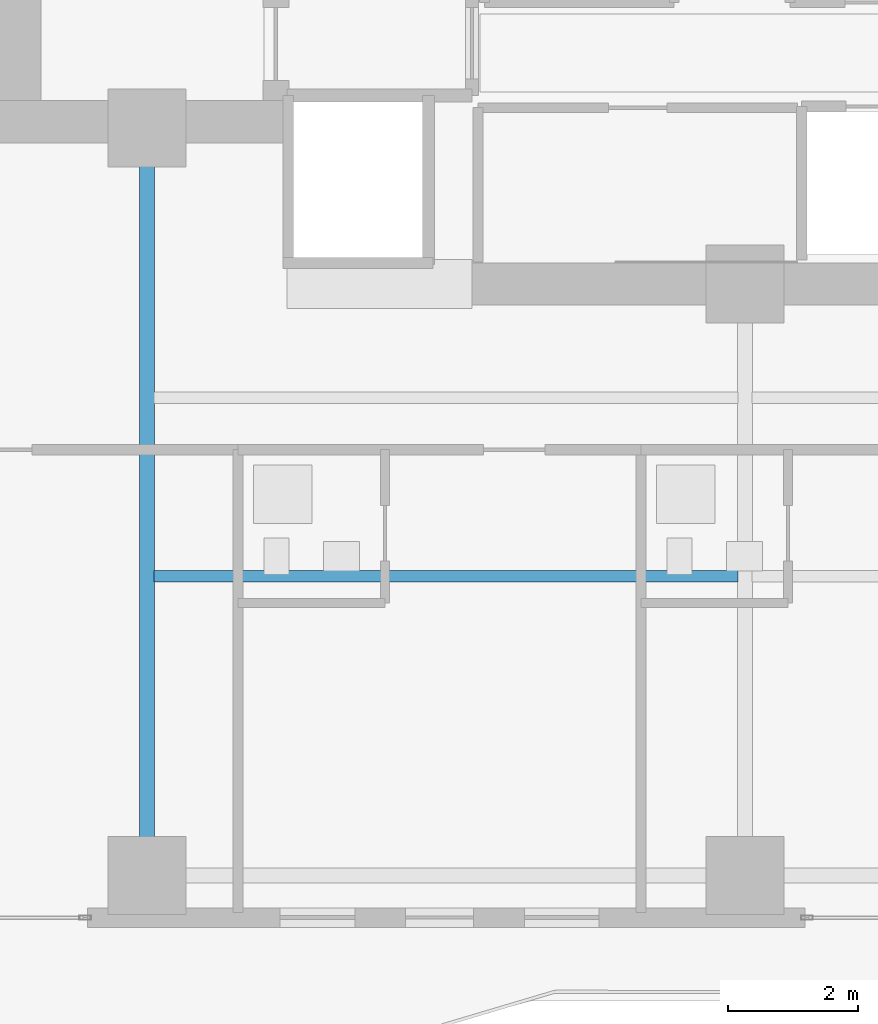
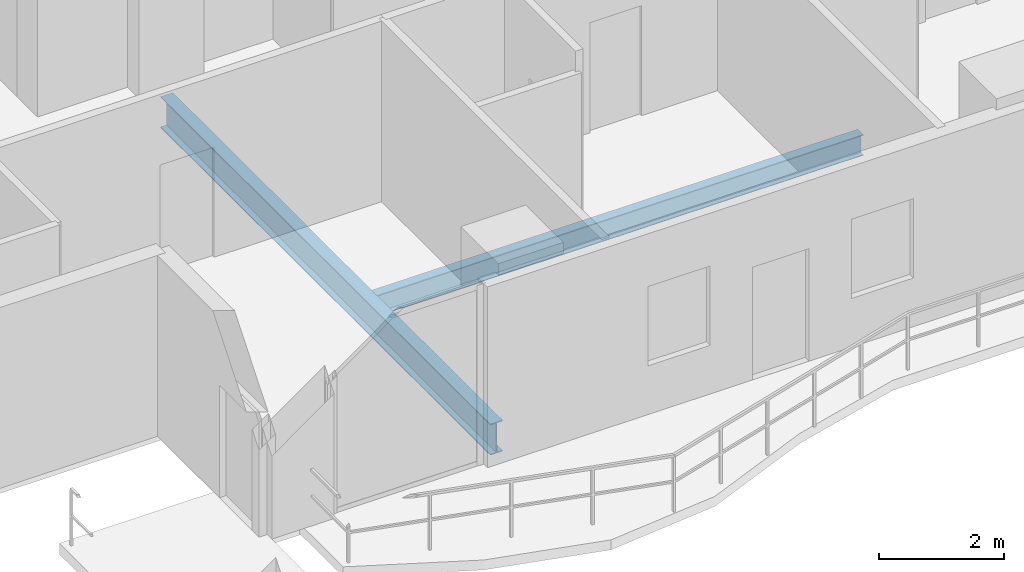
# One storey, part 3 of 32: 2 beams.
"""IFC4 building model written with IfcOpenShell, lengths in metres."""

from ifc_helpers import new_model, si_unit, direction, frame, origin, origin_2d, place, context, subcontext, project, spatial, i_section, extrude, material, material_profile, profile_set, type_object, element, save


model = new_model("IFC4")

# Units and contexts
model_context = context("Model", 3, precision=1e-05, world=origin(), true_north=direction((0.0, 1.0)))
body_context = subcontext(model_context, "Body", "Model", "MODEL_VIEW")
ifc_project = project(units=[si_unit("LENGTHUNIT", "METRE"), si_unit("AREAUNIT", "SQUARE_METRE"), si_unit("VOLUMEUNIT", "CUBIC_METRE"), si_unit("PLANEANGLEUNIT", "RADIAN"), si_unit("MASSUNIT", "GRAM", prefix="KILO")], contexts=[model_context])

# Site, building, storey
site_placement = place(None, origin())
site = spatial("IfcSite", under=ifc_project, at=site_placement, CompositionType="ELEMENT")
building_placement = place(site_placement, origin())
building = spatial("IfcBuilding", under=site, at=building_placement, Name="Zuhayl Quay Hotel", CompositionType="ELEMENT")
storey_placement = place(building_placement, frame((0.0, 0.0, 196.14990234375)))
storey = spatial("IfcBuildingStorey", under=building, at=storey_placement, Name="L49", CompositionType="ELEMENT", Elevation=196.14990234375)

# Beams
ifc_material = material(Name="Steel ASTM A992 Grade 50", Category="steel")
ifc_material_profile_1 = material_profile(ifc_material, i_section(OverallWidth=0.22802734375, OverallDepth=0.60693359375, WebThickness=0.01123046875, FlangeThickness=0.017333984375, at=origin_2d()), Name="W24X76")
ifc_profile_set_1 = profile_set([ifc_material_profile_1], Name="Steel ASTM A992 Grade 50")
beam_type_1 = type_object("IfcBeamType", Name="BM_B3_W24X76", PredefinedType="BEAM", material=ifc_profile_set_1)
beam_1_placement = place(storey_placement, frame((-13.800048828125, -6.449951171875, -0.5234375), z_axis=(0.0, 1.0, 0.0), x_axis=(-1.0, 0.0, 0.0)))
element("IfcBeam", 1, at=beam_1_placement, inside=storey, type_object=beam_type_1, Name="L49 Floor Beam FG_S_L49_1", PredefinedType="BEAM", context=body_context, shape_type="SweptSolid", body=[
    extrude(i_section(OverallWidth=0.22802734375, OverallDepth=0.60693359375, WebThickness=0.01123046875, FlangeThickness=0.017333984375, at=origin_2d()), origin(), (0.0, 0.0, 1.0), 10.550048828125),
])
ifc_material_profile_2 = material_profile(ifc_material, i_section(OverallWidth=0.177978515625, OverallDepth=0.406005859375, WebThickness=0.0078125, FlangeThickness=0.0126953125, at=origin_2d()), Name="W16X40")
ifc_profile_set_2 = profile_set([ifc_material_profile_2], Name="Steel ASTM A992 Grade 50")
beam_type_2 = type_object("IfcBeamType", Name="BM_J2B_W16X40", PredefinedType="JOIST", material=ifc_profile_set_2)
beam_2_placement = place(storey_placement, frame((-13.694091796875, -2.35009765625, -0.4228515625), z_axis=(1.0, 0.0, 0.0), x_axis=(0.0, 1.0, 0.0)))
element("IfcBeam", 2, at=beam_2_placement, inside=storey, type_object=beam_type_2, Name="L49 Floor Beam FJ_L49_7_1", PredefinedType="JOIST", context=body_context, shape_type="SweptSolid", body=[
    extrude(i_section(OverallWidth=0.177978515625, OverallDepth=0.406005859375, WebThickness=0.0078125, FlangeThickness=0.0126953125, at=origin_2d()), origin(), (0.0, 0.0, 1.0), 8.988037109375),
])

save(model, "model.ifc")
